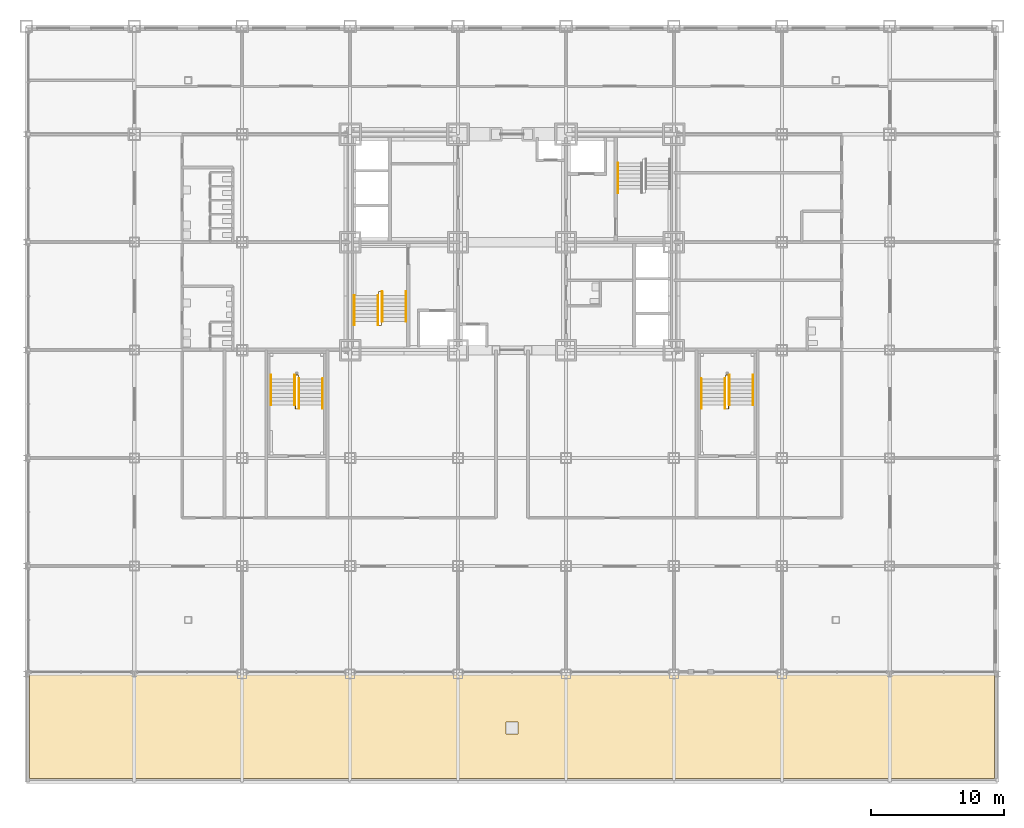
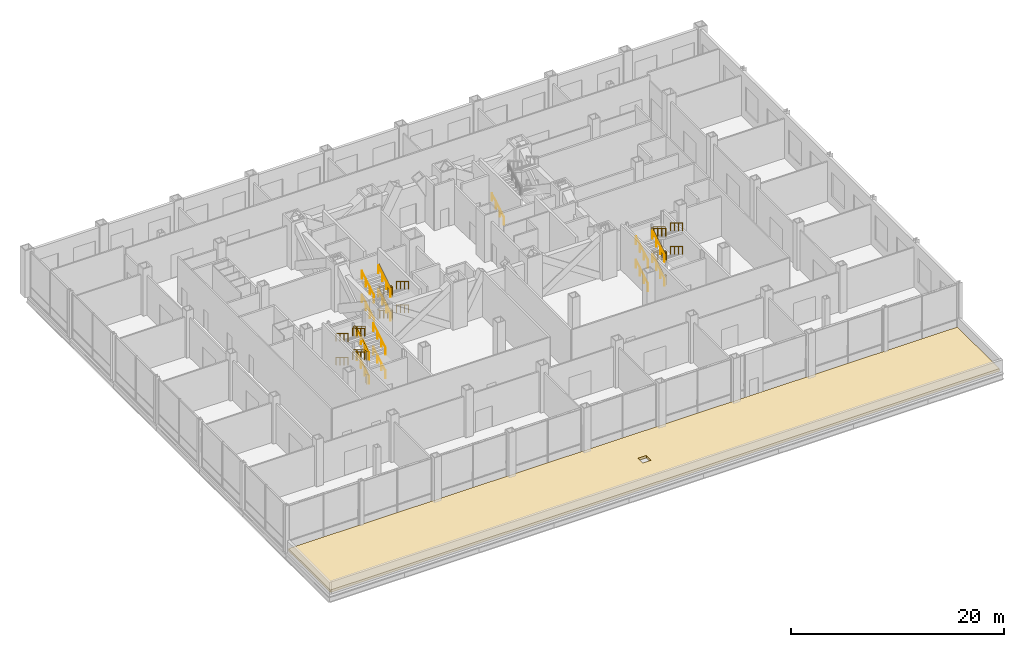
# One storey, part 27 of 29: 28 railings, 1 covering.
"""IFC4 building model written with IfcOpenShell, lengths in metres."""

from ifc_helpers import new_model, si_unit, direction, frame, origin, origin_2d, place, context, subcontext, project, spatial, polyline, circle, outline, extrude, material, layer, layer_set, type_object, element, save


model = new_model("IFC4")

# Units and contexts
model_context = context("Model", 3, precision=1e-05, world=origin(), true_north=direction((0.0, 1.0)))
body_context = subcontext(model_context, "Body", "Model", "MODEL_VIEW")
ifc_project = project(units=[si_unit("LENGTHUNIT", "METRE"), si_unit("AREAUNIT", "SQUARE_METRE"), si_unit("VOLUMEUNIT", "CUBIC_METRE"), si_unit("PLANEANGLEUNIT", "RADIAN"), si_unit("MASSUNIT", "GRAM", prefix="KILO")], contexts=[model_context])

# Site, building, storey
site_placement = place(None, origin())
site = spatial("IfcSite", under=ifc_project, at=site_placement, CompositionType="ELEMENT")
building_placement = place(site_placement, origin())
building = spatial("IfcBuilding", under=site, at=building_placement, Name="Kopane Lantern Tower", CompositionType="ELEMENT")
storey_placement = place(building_placement, frame((0.0, 0.0, 11.39990234375)))
storey = spatial("IfcBuildingStorey", under=building, at=storey_placement, Name="L02", CompositionType="ELEMENT", Elevation=11.39990234375)

# Covering
ifc_material_1 = material(Name="Bitumen membrane and extruded polystyrene insulation", Category="bitumen")
ifc_layer = layer(ifc_material_1, 0.280029296875)
ifc_layer_set = layer_set([ifc_layer], Name="ROOF FINISH RF1 INVERTED 280")
covering_type = type_object("IfcCoveringType", Name="ROOF FINISH RF1 INVERTED 280", PredefinedType="ROOFING", material=ifc_layer_set)
covering_placement = place(storey_placement, origin())
element("IfcCovering", 1, at=covering_placement, inside=storey, type_object=covering_type, Name="Roof finish L02", PredefinedType="ROOFING", context=body_context, shape_type="SweptSolid", body=[
    extrude(outline(polyline([(64.550048828125, 0.0), (-7.85009765625, 0.0), (-7.85009765625, -7.85009765625), (64.550048828125, -7.85009765625), (64.550048828125, 0.0)]), holes=[polyline([(27.89990234375, -4.5), (27.89990234375, -3.60009765625), (28.800048828125, -3.60009765625), (28.800048828125, -4.5), (27.89990234375, -4.5)])]), origin(), (0.0, 0.0, 1.0), 0.280029296875),
])

# Railings
ifc_material_2 = material(Name="Steel", Category="steel")
railing_type_1 = type_object("IfcRailingType", Name="STAIR GUARD 1100", PredefinedType="GUARDRAIL", material=ifc_material_2)
railing_1_placement = place(storey_placement, frame((18.35009765625, 28.409912109375, 0.0)))
element("IfcRailing", 2, at=railing_1_placement, inside=storey, type_object=railing_type_1, Name="ST1 well guard L02", PredefinedType="GUARDRAIL", context=body_context, shape_type="SweptSolid", body=[
    extrude(circle(Radius=0.02392578125, at=origin_2d()), frame((0.0, 0.0, 1.076171875), z_axis=(0.0, 1.0, 0.0), x_axis=(-1.0, 0.0, 0.0)), (0.0, 0.0, 1.0), 0.280029296875),
    extrude(circle(Radius=0.02392578125, at=origin_2d()), frame((0.0, 0.280029296875, 1.076171875), z_axis=(1.0, 0.0, 0.0), x_axis=(0.0, 1.0, 0.0)), (0.0, 0.0, 1.0), 0.199951171875),
    extrude(circle(Radius=0.02392578125, at=origin_2d()), frame((0.199951171875, 0.280029296875, 1.076171875), z_axis=(0.0, -0.856461642802, 0.516210668632), x_axis=(1.0, 0.0, 0.0)), (0.0, 0.0, 1.0), 2.615478515625),
    extrude(circle(Radius=0.02392578125, at=origin_2d()), frame((0.199951171875, -1.9599609375, 2.42626953125), z_axis=(0.0, -1.0, 0.0), x_axis=(1.0, 0.0, 0.0)), (0.0, 0.0, 1.0), 0.280029296875),
    extrude(circle(Radius=0.02392578125, at=origin_2d()), frame((0.199951171875, -2.239990234375, 2.42626953125), z_axis=(-1.0, 0.0, 0.0), x_axis=(0.0, -1.0, 0.0)), (0.0, 0.0, 1.0), 0.199951171875),
    extrude(circle(Radius=0.02392578125, at=origin_2d()), frame((0.0, -2.239990234375, 2.42626953125), z_axis=(0.0, 0.856461642802, 0.516210668632), x_axis=(-1.0, 0.0, 0.0)), (0.0, 0.0, 1.0), 2.615478515625),
    extrude(circle(Radius=0.02392578125, at=origin_2d()), frame((0.0, 0.0, 3.7763671875), z_axis=(0.0, 1.0, 0.0), x_axis=(-1.0, 0.0, 0.0)), (0.0, 0.0, 1.0), 0.280029296875),
    extrude(circle(Radius=0.02392578125, at=origin_2d()), frame((0.0, 0.280029296875, 3.7763671875), z_axis=(1.0, 0.0, 0.0), x_axis=(0.0, 1.0, 0.0)), (0.0, 0.0, 1.0), 0.199951171875),
    extrude(circle(Radius=0.02392578125, at=origin_2d()), frame((0.199951171875, 0.280029296875, 3.7763671875), z_axis=(0.0, -0.856502912269, 0.516142190947), x_axis=(1.0, 0.0, 0.0)), (0.0, 0.0, 1.0), 2.615234375),
    extrude(circle(Radius=0.02392578125, at=origin_2d()), frame((0.199951171875, -1.9599609375, 5.1259765625), z_axis=(0.0, -1.0, 0.0), x_axis=(1.0, 0.0, 0.0)), (0.0, 0.0, 1.0), 0.280029296875),
    extrude(circle(Radius=0.02392578125, at=origin_2d()), frame((0.199951171875, -2.239990234375, 5.1259765625), z_axis=(-1.0, 0.0, 0.0), x_axis=(0.0, -1.0, 0.0)), (0.0, 0.0, 1.0), 0.199951171875),
    extrude(circle(Radius=0.02392578125, at=origin_2d()), frame((0.0, -2.239990234375, 5.1259765625), z_axis=(0.0, 0.856461642802, 0.516210668632), x_axis=(-1.0, 0.0, 0.0)), (0.0, 0.0, 1.0), 2.615478515625),
    extrude(circle(Radius=0.02099609375, at=origin_2d()), origin(), (0.0, 0.0, 1.0), 1.052001953125),
    extrude(circle(Radius=0.02099609375, at=origin_2d()), frame((0.0, 0.280029296875, 0.0)), (0.0, 0.0, 1.0), 1.052001953125),
    extrude(circle(Radius=0.02099609375, at=origin_2d()), frame((0.199951171875, 0.280029296875, 0.0)), (0.0, 0.0, 1.0), 1.052001953125),
    extrude(circle(Radius=0.02099609375, at=origin_2d()), frame((0.199951171875, -0.466552734375, 0.449951171875)), (0.0, 0.0, 1.0), 1.052001953125),
    extrude(circle(Radius=0.02099609375, at=origin_2d()), frame((0.199951171875, -1.21337890625, 0.900146484375)), (0.0, 0.0, 1.0), 1.052001953125),
    extrude(circle(Radius=0.02099609375, at=origin_2d()), frame((0.199951171875, -1.9599609375, 1.35009765625)), (0.0, 0.0, 1.0), 1.052001953125),
    extrude(circle(Radius=0.02099609375, at=origin_2d()), frame((0.199951171875, -2.239990234375, 1.35009765625)), (0.0, 0.0, 1.0), 1.052001953125),
    extrude(circle(Radius=0.02099609375, at=origin_2d()), frame((0.0, -2.239990234375, 1.35009765625)), (0.0, 0.0, 1.0), 1.052001953125),
    extrude(circle(Radius=0.02099609375, at=origin_2d()), frame((0.0, -1.493408203125, 1.800048828125)), (0.0, 0.0, 1.0), 1.052001953125),
    extrude(circle(Radius=0.02099609375, at=origin_2d()), frame((0.0, -0.74658203125, 2.250244140625)), (0.0, 0.0, 1.0), 1.052001953125),
    extrude(circle(Radius=0.02099609375, at=origin_2d()), frame((0.0, 0.0, 2.7001953125)), (0.0, 0.0, 1.0), 1.052001953125),
    extrude(circle(Radius=0.02099609375, at=origin_2d()), frame((0.0, 0.280029296875, 2.7001953125)), (0.0, 0.0, 1.0), 1.052001953125),
    extrude(circle(Radius=0.02099609375, at=origin_2d()), frame((0.199951171875, 0.280029296875, 2.7001953125)), (0.0, 0.0, 1.0), 1.052001953125),
    extrude(circle(Radius=0.02099609375, at=origin_2d()), frame((0.199951171875, -0.466552734375, 3.150146484375)), (0.0, 0.0, 1.0), 1.052001953125),
    extrude(circle(Radius=0.02099609375, at=origin_2d()), frame((0.199951171875, -1.21337890625, 3.60009765625)), (0.0, 0.0, 1.0), 1.052001953125),
    extrude(circle(Radius=0.02099609375, at=origin_2d()), frame((0.199951171875, -1.9599609375, 4.050048828125)), (0.0, 0.0, 1.0), 1.052001953125),
    extrude(circle(Radius=0.02099609375, at=origin_2d()), frame((0.199951171875, -2.239990234375, 4.050048828125)), (0.0, 0.0, 1.0), 1.052001953125),
    extrude(circle(Radius=0.02099609375, at=origin_2d()), frame((0.0, -2.239990234375, 4.050048828125)), (0.0, 0.0, 1.0), 1.052001953125),
    extrude(circle(Radius=0.02099609375, at=origin_2d()), frame((0.0, -1.493408203125, 4.5)), (0.0, 0.0, 1.0), 1.052001953125),
    extrude(circle(Radius=0.02099609375, at=origin_2d()), frame((0.0, -0.74658203125, 4.9501953125)), (0.0, 0.0, 1.0), 1.052001953125),
    extrude(circle(Radius=0.02099609375, at=origin_2d()), frame((0.0, 0.0, 5.400146484375)), (0.0, 0.0, 1.0), 1.052001953125),
])
railing_2_placement = place(storey_placement, frame((12.10009765625, 20.18994140625, 0.0)))
element("IfcRailing", 3, at=railing_2_placement, inside=storey, type_object=railing_type_1, Name="ST3 well guard L02", PredefinedType="GUARDRAIL", context=body_context, shape_type="SweptSolid", body=[
    extrude(circle(Radius=0.02392578125, at=origin_2d()), frame((0.0, 0.0, 1.076171875), z_axis=(0.0, -1.0, 0.0), x_axis=(1.0, 0.0, 0.0)), (0.0, 0.0, 1.0), 0.280029296875),
    extrude(circle(Radius=0.02392578125, at=origin_2d()), frame((0.0, -0.280029296875, 1.076171875), z_axis=(1.0, 0.0, 0.0), x_axis=(0.0, 1.0, 0.0)), (0.0, 0.0, 1.0), 0.199951171875),
    extrude(circle(Radius=0.02392578125, at=origin_2d()), frame((0.199951171875, -0.280029296875, 1.076171875), z_axis=(0.0, 0.856461642802, 0.516210668632), x_axis=(-1.0, 0.0, 0.0)), (0.0, 0.0, 1.0), 2.615478515625),
    extrude(circle(Radius=0.02392578125, at=origin_2d()), frame((0.199951171875, 1.9599609375, 2.42626953125), z_axis=(0.0, 1.0, 0.0), x_axis=(-1.0, 0.0, 0.0)), (0.0, 0.0, 1.0), 0.280029296875),
    extrude(circle(Radius=0.02392578125, at=origin_2d()), frame((0.199951171875, 2.239990234375, 2.42626953125), z_axis=(-1.0, 0.0, 0.0), x_axis=(0.0, -1.0, 0.0)), (0.0, 0.0, 1.0), 0.199951171875),
    extrude(circle(Radius=0.02392578125, at=origin_2d()), frame((0.0, 2.239990234375, 2.42626953125), z_axis=(0.0, -0.856461642802, 0.516210668632), x_axis=(1.0, 0.0, 0.0)), (0.0, 0.0, 1.0), 2.615478515625),
    extrude(circle(Radius=0.02392578125, at=origin_2d()), frame((0.0, 0.0, 3.7763671875), z_axis=(0.0, -1.0, 0.0), x_axis=(1.0, 0.0, 0.0)), (0.0, 0.0, 1.0), 0.280029296875),
    extrude(circle(Radius=0.02392578125, at=origin_2d()), frame((0.0, -0.280029296875, 3.7763671875), z_axis=(1.0, 0.0, 0.0), x_axis=(0.0, 1.0, 0.0)), (0.0, 0.0, 1.0), 0.199951171875),
    extrude(circle(Radius=0.02392578125, at=origin_2d()), frame((0.199951171875, -0.280029296875, 3.7763671875), z_axis=(0.0, 0.856502912269, 0.516142190947), x_axis=(-1.0, 0.0, 0.0)), (0.0, 0.0, 1.0), 2.615234375),
    extrude(circle(Radius=0.02392578125, at=origin_2d()), frame((0.199951171875, 1.9599609375, 5.1259765625), z_axis=(0.0, 1.0, 0.0), x_axis=(-1.0, 0.0, 0.0)), (0.0, 0.0, 1.0), 0.280029296875),
    extrude(circle(Radius=0.02392578125, at=origin_2d()), frame((0.199951171875, 2.239990234375, 5.1259765625), z_axis=(-1.0, 0.0, 0.0), x_axis=(0.0, -1.0, 0.0)), (0.0, 0.0, 1.0), 0.199951171875),
    extrude(circle(Radius=0.02392578125, at=origin_2d()), frame((0.0, 2.239990234375, 5.1259765625), z_axis=(0.0, -0.856461642802, 0.516210668632), x_axis=(1.0, 0.0, 0.0)), (0.0, 0.0, 1.0), 2.615478515625),
    extrude(circle(Radius=0.02099609375, at=origin_2d()), origin(), (0.0, 0.0, 1.0), 1.052001953125),
    extrude(circle(Radius=0.02099609375, at=origin_2d()), frame((0.0, -0.280029296875, 0.0)), (0.0, 0.0, 1.0), 1.052001953125),
    extrude(circle(Radius=0.02099609375, at=origin_2d()), frame((0.199951171875, -0.280029296875, 0.0)), (0.0, 0.0, 1.0), 1.052001953125),
    extrude(circle(Radius=0.02099609375, at=origin_2d()), frame((0.199951171875, 0.466552734375, 0.449951171875)), (0.0, 0.0, 1.0), 1.052001953125),
    extrude(circle(Radius=0.02099609375, at=origin_2d()), frame((0.199951171875, 1.21337890625, 0.900146484375)), (0.0, 0.0, 1.0), 1.052001953125),
    extrude(circle(Radius=0.02099609375, at=origin_2d()), frame((0.199951171875, 1.9599609375, 1.35009765625)), (0.0, 0.0, 1.0), 1.052001953125),
    extrude(circle(Radius=0.02099609375, at=origin_2d()), frame((0.199951171875, 2.239990234375, 1.35009765625)), (0.0, 0.0, 1.0), 1.052001953125),
    extrude(circle(Radius=0.02099609375, at=origin_2d()), frame((0.0, 2.239990234375, 1.35009765625)), (0.0, 0.0, 1.0), 1.052001953125),
    extrude(circle(Radius=0.02099609375, at=origin_2d()), frame((0.0, 1.493408203125, 1.800048828125)), (0.0, 0.0, 1.0), 1.052001953125),
    extrude(circle(Radius=0.02099609375, at=origin_2d()), frame((0.0, 0.74658203125, 2.250244140625)), (0.0, 0.0, 1.0), 1.052001953125),
    extrude(circle(Radius=0.02099609375, at=origin_2d()), frame((0.0, 0.0, 2.7001953125)), (0.0, 0.0, 1.0), 1.052001953125),
    extrude(circle(Radius=0.02099609375, at=origin_2d()), frame((0.0, -0.280029296875, 2.7001953125)), (0.0, 0.0, 1.0), 1.052001953125),
    extrude(circle(Radius=0.02099609375, at=origin_2d()), frame((0.199951171875, -0.280029296875, 2.7001953125)), (0.0, 0.0, 1.0), 1.052001953125),
    extrude(circle(Radius=0.02099609375, at=origin_2d()), frame((0.199951171875, 0.466552734375, 3.150146484375)), (0.0, 0.0, 1.0), 1.052001953125),
    extrude(circle(Radius=0.02099609375, at=origin_2d()), frame((0.199951171875, 1.21337890625, 3.60009765625)), (0.0, 0.0, 1.0), 1.052001953125),
    extrude(circle(Radius=0.02099609375, at=origin_2d()), frame((0.199951171875, 1.9599609375, 4.050048828125)), (0.0, 0.0, 1.0), 1.052001953125),
    extrude(circle(Radius=0.02099609375, at=origin_2d()), frame((0.199951171875, 2.239990234375, 4.050048828125)), (0.0, 0.0, 1.0), 1.052001953125),
    extrude(circle(Radius=0.02099609375, at=origin_2d()), frame((0.0, 2.239990234375, 4.050048828125)), (0.0, 0.0, 1.0), 1.052001953125),
    extrude(circle(Radius=0.02099609375, at=origin_2d()), frame((0.0, 1.493408203125, 4.5)), (0.0, 0.0, 1.0), 1.052001953125),
    extrude(circle(Radius=0.02099609375, at=origin_2d()), frame((0.0, 0.74658203125, 4.9501953125)), (0.0, 0.0, 1.0), 1.052001953125),
    extrude(circle(Radius=0.02099609375, at=origin_2d()), frame((0.0, 0.0, 5.400146484375)), (0.0, 0.0, 1.0), 1.052001953125),
])
railing_3_placement = place(storey_placement, frame((44.60009765625, 20.18994140625, 0.0)))
element("IfcRailing", 4, at=railing_3_placement, inside=storey, type_object=railing_type_1, Name="ST4 well guard L02", PredefinedType="GUARDRAIL", context=body_context, shape_type="SweptSolid", body=[
    extrude(circle(Radius=0.02392578125, at=origin_2d()), frame((0.0, 0.0, 1.076171875), z_axis=(0.0, -1.0, 0.0), x_axis=(1.0, 0.0, 0.0)), (0.0, 0.0, 1.0), 0.280029296875),
    extrude(circle(Radius=0.02392578125, at=origin_2d()), frame((0.0, -0.280029296875, 1.076171875), z_axis=(-1.0, 0.0, 0.0), x_axis=(0.0, -1.0, 0.0)), (0.0, 0.0, 1.0), 0.2001953125),
    extrude(circle(Radius=0.02392578125, at=origin_2d()), frame((-0.2001953125, -0.280029296875, 1.076171875), z_axis=(0.0, 0.856461642802, 0.516210668632), x_axis=(-1.0, 0.0, 0.0)), (0.0, 0.0, 1.0), 2.615478515625),
    extrude(circle(Radius=0.02392578125, at=origin_2d()), frame((-0.2001953125, 1.9599609375, 2.42626953125), z_axis=(0.0, 1.0, 0.0), x_axis=(-1.0, 0.0, 0.0)), (0.0, 0.0, 1.0), 0.280029296875),
    extrude(circle(Radius=0.02392578125, at=origin_2d()), frame((-0.2001953125, 2.239990234375, 2.42626953125), z_axis=(1.0, 0.0, 0.0), x_axis=(0.0, 1.0, 0.0)), (0.0, 0.0, 1.0), 0.2001953125),
    extrude(circle(Radius=0.02392578125, at=origin_2d()), frame((0.0, 2.239990234375, 2.42626953125), z_axis=(0.0, -0.856461642802, 0.516210668632), x_axis=(1.0, 0.0, 0.0)), (0.0, 0.0, 1.0), 2.615478515625),
    extrude(circle(Radius=0.02392578125, at=origin_2d()), frame((0.0, 0.0, 3.7763671875), z_axis=(0.0, -1.0, 0.0), x_axis=(1.0, 0.0, 0.0)), (0.0, 0.0, 1.0), 0.280029296875),
    extrude(circle(Radius=0.02392578125, at=origin_2d()), frame((0.0, -0.280029296875, 3.7763671875), z_axis=(-1.0, 0.0, 0.0), x_axis=(0.0, -1.0, 0.0)), (0.0, 0.0, 1.0), 0.2001953125),
    extrude(circle(Radius=0.02392578125, at=origin_2d()), frame((-0.2001953125, -0.280029296875, 3.7763671875), z_axis=(0.0, 0.856502912269, 0.516142190947), x_axis=(-1.0, 0.0, 0.0)), (0.0, 0.0, 1.0), 2.615234375),
    extrude(circle(Radius=0.02392578125, at=origin_2d()), frame((-0.2001953125, 1.9599609375, 5.1259765625), z_axis=(0.0, 1.0, 0.0), x_axis=(-1.0, 0.0, 0.0)), (0.0, 0.0, 1.0), 0.280029296875),
    extrude(circle(Radius=0.02392578125, at=origin_2d()), frame((-0.2001953125, 2.239990234375, 5.1259765625), z_axis=(1.0, 0.0, 0.0), x_axis=(0.0, 1.0, 0.0)), (0.0, 0.0, 1.0), 0.2001953125),
    extrude(circle(Radius=0.02392578125, at=origin_2d()), frame((0.0, 2.239990234375, 5.1259765625), z_axis=(0.0, -0.856461642802, 0.516210668632), x_axis=(1.0, 0.0, 0.0)), (0.0, 0.0, 1.0), 2.615478515625),
    extrude(circle(Radius=0.02099609375, at=origin_2d()), origin(), (0.0, 0.0, 1.0), 1.052001953125),
    extrude(circle(Radius=0.02099609375, at=origin_2d()), frame((0.0, -0.280029296875, 0.0)), (0.0, 0.0, 1.0), 1.052001953125),
    extrude(circle(Radius=0.02099609375, at=origin_2d()), frame((-0.2001953125, -0.280029296875, 0.0)), (0.0, 0.0, 1.0), 1.052001953125),
    extrude(circle(Radius=0.02099609375, at=origin_2d()), frame((-0.2001953125, 0.466552734375, 0.449951171875)), (0.0, 0.0, 1.0), 1.052001953125),
    extrude(circle(Radius=0.02099609375, at=origin_2d()), frame((-0.2001953125, 1.21337890625, 0.900146484375)), (0.0, 0.0, 1.0), 1.052001953125),
    extrude(circle(Radius=0.02099609375, at=origin_2d()), frame((-0.2001953125, 1.9599609375, 1.35009765625)), (0.0, 0.0, 1.0), 1.052001953125),
    extrude(circle(Radius=0.02099609375, at=origin_2d()), frame((-0.2001953125, 2.239990234375, 1.35009765625)), (0.0, 0.0, 1.0), 1.052001953125),
    extrude(circle(Radius=0.02099609375, at=origin_2d()), frame((0.0, 2.239990234375, 1.35009765625)), (0.0, 0.0, 1.0), 1.052001953125),
    extrude(circle(Radius=0.02099609375, at=origin_2d()), frame((0.0, 1.493408203125, 1.800048828125)), (0.0, 0.0, 1.0), 1.052001953125),
    extrude(circle(Radius=0.02099609375, at=origin_2d()), frame((0.0, 0.74658203125, 2.250244140625)), (0.0, 0.0, 1.0), 1.052001953125),
    extrude(circle(Radius=0.02099609375, at=origin_2d()), frame((0.0, 0.0, 2.7001953125)), (0.0, 0.0, 1.0), 1.052001953125),
    extrude(circle(Radius=0.02099609375, at=origin_2d()), frame((0.0, -0.280029296875, 2.7001953125)), (0.0, 0.0, 1.0), 1.052001953125),
    extrude(circle(Radius=0.02099609375, at=origin_2d()), frame((-0.2001953125, -0.280029296875, 2.7001953125)), (0.0, 0.0, 1.0), 1.052001953125),
    extrude(circle(Radius=0.02099609375, at=origin_2d()), frame((-0.2001953125, 0.466552734375, 3.150146484375)), (0.0, 0.0, 1.0), 1.052001953125),
    extrude(circle(Radius=0.02099609375, at=origin_2d()), frame((-0.2001953125, 1.21337890625, 3.60009765625)), (0.0, 0.0, 1.0), 1.052001953125),
    extrude(circle(Radius=0.02099609375, at=origin_2d()), frame((-0.2001953125, 1.9599609375, 4.050048828125)), (0.0, 0.0, 1.0), 1.052001953125),
    extrude(circle(Radius=0.02099609375, at=origin_2d()), frame((-0.2001953125, 2.239990234375, 4.050048828125)), (0.0, 0.0, 1.0), 1.052001953125),
    extrude(circle(Radius=0.02099609375, at=origin_2d()), frame((0.0, 2.239990234375, 4.050048828125)), (0.0, 0.0, 1.0), 1.052001953125),
    extrude(circle(Radius=0.02099609375, at=origin_2d()), frame((0.0, 1.493408203125, 4.5)), (0.0, 0.0, 1.0), 1.052001953125),
    extrude(circle(Radius=0.02099609375, at=origin_2d()), frame((0.0, 0.74658203125, 4.9501953125)), (0.0, 0.0, 1.0), 1.052001953125),
    extrude(circle(Radius=0.02099609375, at=origin_2d()), frame((0.0, 0.0, 5.400146484375)), (0.0, 0.0, 1.0), 1.052001953125),
])
ifc_material_3 = material(Name="Steel", Category="steel")
railing_type_2 = type_object("IfcRailingType", Name="STAIR HANDRAIL 900", PredefinedType="HANDRAIL", material=ifc_material_3)
for number, where, name in (
    (5, (20.389892578125, 28.68994140625, 0.0), "ST1 handrail L02 flight 1"),
    (6, (18.610107421875, 28.68994140625, 0.0), "ST1 handrail L02 flight 1"),
):
    element("IfcRailing", number, at=place(storey_placement, frame(where)), inside=storey, type_object=railing_type_2, Name=name, PredefinedType="HANDRAIL", context=body_context, shape_type="SweptSolid", body=[
        extrude(circle(Radius=0.02392578125, at=origin_2d()), frame((0.0, 0.0, 0.8759765625), z_axis=(0.0, -0.856461642802, 0.516210668632), x_axis=(1.0, 0.0, 0.0)), (0.0, 0.0, 1.0), 2.615478515625),
        extrude(circle(Radius=0.02099609375, at=origin_2d()), origin(), (0.0, 0.0, 1.0), 0.851806640625),
        extrude(circle(Radius=0.02099609375, at=origin_2d()), frame((0.0, -0.74658203125, 0.449951171875)), (0.0, 0.0, 1.0), 0.851806640625),
        extrude(circle(Radius=0.02099609375, at=origin_2d()), frame((0.0, -1.493408203125, 0.900146484375)), (0.0, 0.0, 1.0), 0.851806640625),
        extrude(circle(Radius=0.02099609375, at=origin_2d()), frame((0.0, -2.239990234375, 1.35009765625)), (0.0, 0.0, 1.0), 0.851806640625),
    ])
for number, where, name in (
    (7, (16.510009765625, 26.169921875, 1.35009765625), "ST1 handrail L02 flight 2"),
    (8, (18.2900390625, 26.169921875, 1.35009765625), "ST1 handrail L02 flight 2"),
):
    element("IfcRailing", number, at=place(storey_placement, frame(where)), inside=storey, type_object=railing_type_2, Name=name, PredefinedType="HANDRAIL", context=body_context, shape_type="SweptSolid", body=[
        extrude(circle(Radius=0.02392578125, at=origin_2d()), frame((0.0, 0.0, 0.8759765625), z_axis=(0.0, 0.856461642802, 0.516210668632), x_axis=(-1.0, 0.0, 0.0)), (0.0, 0.0, 1.0), 2.615478515625),
        extrude(circle(Radius=0.02099609375, at=origin_2d()), origin(), (0.0, 0.0, 1.0), 0.851806640625),
        extrude(circle(Radius=0.02099609375, at=origin_2d()), frame((0.0, 0.74658203125, 0.449951171875)), (0.0, 0.0, 1.0), 0.851806640625),
        extrude(circle(Radius=0.02099609375, at=origin_2d()), frame((0.0, 1.493408203125, 0.900146484375)), (0.0, 0.0, 1.0), 0.851806640625),
        extrude(circle(Radius=0.02099609375, at=origin_2d()), frame((0.0, 2.239990234375, 1.35009765625)), (0.0, 0.0, 1.0), 0.851806640625),
    ])
for number, where, name in (
    (9, (20.389892578125, 28.68994140625, 2.7001953125), "ST1 handrail L02 flight 3"),
    (10, (18.610107421875, 28.68994140625, 2.7001953125), "ST1 handrail L02 flight 3"),
):
    element("IfcRailing", number, at=place(storey_placement, frame(where)), inside=storey, type_object=railing_type_2, Name=name, PredefinedType="HANDRAIL", context=body_context, shape_type="SweptSolid", body=[
        extrude(circle(Radius=0.02392578125, at=origin_2d()), frame((0.0, 0.0, 0.8759765625), z_axis=(0.0, -0.856502912269, 0.516142190947), x_axis=(1.0, 0.0, 0.0)), (0.0, 0.0, 1.0), 2.615234375),
        extrude(circle(Radius=0.02099609375, at=origin_2d()), origin(), (0.0, 0.0, 1.0), 0.851806640625),
        extrude(circle(Radius=0.02099609375, at=origin_2d()), frame((0.0, -0.74658203125, 0.449951171875)), (0.0, 0.0, 1.0), 0.851806640625),
        extrude(circle(Radius=0.02099609375, at=origin_2d()), frame((0.0, -1.493408203125, 0.89990234375)), (0.0, 0.0, 1.0), 0.851806640625),
        extrude(circle(Radius=0.02099609375, at=origin_2d()), frame((0.0, -2.239990234375, 1.349853515625)), (0.0, 0.0, 1.0), 0.851806640625),
    ])
for number, where, name in (
    (11, (16.510009765625, 26.169921875, 4.050048828125), "ST1 handrail L02 flight 4"),
    (12, (18.2900390625, 26.169921875, 4.050048828125), "ST1 handrail L02 flight 4"),
    (13, (36.31005859375, 36.110107421875, 0.0), "ST2 handrail L02 flight 1"),
    (14, (14.139892578125, 19.909912109375, 0.0), "ST3 handrail L02 flight 1"),
    (15, (12.360107421875, 19.909912109375, 0.0), "ST3 handrail L02 flight 1"),
):
    element("IfcRailing", number, at=place(storey_placement, frame(where)), inside=storey, type_object=railing_type_2, Name=name, PredefinedType="HANDRAIL", context=body_context, shape_type="SweptSolid", body=[
        extrude(circle(Radius=0.02392578125, at=origin_2d()), frame((0.0, 0.0, 0.8759765625), z_axis=(0.0, 0.856461642802, 0.516210668632), x_axis=(-1.0, 0.0, 0.0)), (0.0, 0.0, 1.0), 2.615478515625),
        extrude(circle(Radius=0.02099609375, at=origin_2d()), origin(), (0.0, 0.0, 1.0), 0.851806640625),
        extrude(circle(Radius=0.02099609375, at=origin_2d()), frame((0.0, 0.74658203125, 0.449951171875)), (0.0, 0.0, 1.0), 0.851806640625),
        extrude(circle(Radius=0.02099609375, at=origin_2d()), frame((0.0, 1.493408203125, 0.900146484375)), (0.0, 0.0, 1.0), 0.851806640625),
        extrude(circle(Radius=0.02099609375, at=origin_2d()), frame((0.0, 2.239990234375, 1.35009765625)), (0.0, 0.0, 1.0), 0.851806640625),
    ])
for number, where, name in (
    (16, (10.260009765625, 22.429931640625, 1.35009765625), "ST3 handrail L02 flight 2"),
    (17, (12.0400390625, 22.429931640625, 1.35009765625), "ST3 handrail L02 flight 2"),
):
    element("IfcRailing", number, at=place(storey_placement, frame(where)), inside=storey, type_object=railing_type_2, Name=name, PredefinedType="HANDRAIL", context=body_context, shape_type="SweptSolid", body=[
        extrude(circle(Radius=0.02392578125, at=origin_2d()), frame((0.0, 0.0, 0.8759765625), z_axis=(0.0, -0.856461642802, 0.516210668632), x_axis=(1.0, 0.0, 0.0)), (0.0, 0.0, 1.0), 2.615478515625),
        extrude(circle(Radius=0.02099609375, at=origin_2d()), origin(), (0.0, 0.0, 1.0), 0.851806640625),
        extrude(circle(Radius=0.02099609375, at=origin_2d()), frame((0.0, -0.74658203125, 0.449951171875)), (0.0, 0.0, 1.0), 0.851806640625),
        extrude(circle(Radius=0.02099609375, at=origin_2d()), frame((0.0, -1.493408203125, 0.900146484375)), (0.0, 0.0, 1.0), 0.851806640625),
        extrude(circle(Radius=0.02099609375, at=origin_2d()), frame((0.0, -2.239990234375, 1.35009765625)), (0.0, 0.0, 1.0), 0.851806640625),
    ])
for number, where, name in (
    (18, (14.139892578125, 19.909912109375, 2.7001953125), "ST3 handrail L02 flight 3"),
    (19, (12.360107421875, 19.909912109375, 2.7001953125), "ST3 handrail L02 flight 3"),
):
    element("IfcRailing", number, at=place(storey_placement, frame(where)), inside=storey, type_object=railing_type_2, Name=name, PredefinedType="HANDRAIL", context=body_context, shape_type="SweptSolid", body=[
        extrude(circle(Radius=0.02392578125, at=origin_2d()), frame((0.0, 0.0, 0.8759765625), z_axis=(0.0, 0.856502912269, 0.516142190947), x_axis=(-1.0, 0.0, 0.0)), (0.0, 0.0, 1.0), 2.615234375),
        extrude(circle(Radius=0.02099609375, at=origin_2d()), origin(), (0.0, 0.0, 1.0), 0.851806640625),
        extrude(circle(Radius=0.02099609375, at=origin_2d()), frame((0.0, 0.74658203125, 0.449951171875)), (0.0, 0.0, 1.0), 0.851806640625),
        extrude(circle(Radius=0.02099609375, at=origin_2d()), frame((0.0, 1.493408203125, 0.89990234375)), (0.0, 0.0, 1.0), 0.851806640625),
        extrude(circle(Radius=0.02099609375, at=origin_2d()), frame((0.0, 2.239990234375, 1.349853515625)), (0.0, 0.0, 1.0), 0.851806640625),
    ])
for number, where, name in (
    (20, (10.260009765625, 22.429931640625, 4.050048828125), "ST3 handrail L02 flight 4"),
    (21, (12.0400390625, 22.429931640625, 4.050048828125), "ST3 handrail L02 flight 4"),
):
    element("IfcRailing", number, at=place(storey_placement, frame(where)), inside=storey, type_object=railing_type_2, Name=name, PredefinedType="HANDRAIL", context=body_context, shape_type="SweptSolid", body=[
        extrude(circle(Radius=0.02392578125, at=origin_2d()), frame((0.0, 0.0, 0.8759765625), z_axis=(0.0, -0.856461642802, 0.516210668632), x_axis=(1.0, 0.0, 0.0)), (0.0, 0.0, 1.0), 2.615478515625),
        extrude(circle(Radius=0.02099609375, at=origin_2d()), origin(), (0.0, 0.0, 1.0), 0.851806640625),
        extrude(circle(Radius=0.02099609375, at=origin_2d()), frame((0.0, -0.74658203125, 0.449951171875)), (0.0, 0.0, 1.0), 0.851806640625),
        extrude(circle(Radius=0.02099609375, at=origin_2d()), frame((0.0, -1.493408203125, 0.900146484375)), (0.0, 0.0, 1.0), 0.851806640625),
        extrude(circle(Radius=0.02099609375, at=origin_2d()), frame((0.0, -2.239990234375, 1.35009765625)), (0.0, 0.0, 1.0), 0.851806640625),
    ])
for number, where, name in (
    (22, (42.56005859375, 19.909912109375, 0.0), "ST4 handrail L02 flight 1"),
    (23, (44.340087890625, 19.909912109375, 0.0), "ST4 handrail L02 flight 1"),
):
    element("IfcRailing", number, at=place(storey_placement, frame(where)), inside=storey, type_object=railing_type_2, Name=name, PredefinedType="HANDRAIL", context=body_context, shape_type="SweptSolid", body=[
        extrude(circle(Radius=0.02392578125, at=origin_2d()), frame((0.0, 0.0, 0.8759765625), z_axis=(0.0, 0.856461642802, 0.516210668632), x_axis=(-1.0, 0.0, 0.0)), (0.0, 0.0, 1.0), 2.615478515625),
        extrude(circle(Radius=0.02099609375, at=origin_2d()), origin(), (0.0, 0.0, 1.0), 0.851806640625),
        extrude(circle(Radius=0.02099609375, at=origin_2d()), frame((0.0, 0.74658203125, 0.449951171875)), (0.0, 0.0, 1.0), 0.851806640625),
        extrude(circle(Radius=0.02099609375, at=origin_2d()), frame((0.0, 1.493408203125, 0.900146484375)), (0.0, 0.0, 1.0), 0.851806640625),
        extrude(circle(Radius=0.02099609375, at=origin_2d()), frame((0.0, 2.239990234375, 1.35009765625)), (0.0, 0.0, 1.0), 0.851806640625),
    ])
for number, where, name in (
    (24, (46.43994140625, 22.429931640625, 1.35009765625), "ST4 handrail L02 flight 2"),
    (25, (44.659912109375, 22.429931640625, 1.35009765625), "ST4 handrail L02 flight 2"),
):
    element("IfcRailing", number, at=place(storey_placement, frame(where)), inside=storey, type_object=railing_type_2, Name=name, PredefinedType="HANDRAIL", context=body_context, shape_type="SweptSolid", body=[
        extrude(circle(Radius=0.02392578125, at=origin_2d()), frame((0.0, 0.0, 0.8759765625), z_axis=(0.0, -0.856461642802, 0.516210668632), x_axis=(1.0, 0.0, 0.0)), (0.0, 0.0, 1.0), 2.615478515625),
        extrude(circle(Radius=0.02099609375, at=origin_2d()), origin(), (0.0, 0.0, 1.0), 0.851806640625),
        extrude(circle(Radius=0.02099609375, at=origin_2d()), frame((0.0, -0.74658203125, 0.449951171875)), (0.0, 0.0, 1.0), 0.851806640625),
        extrude(circle(Radius=0.02099609375, at=origin_2d()), frame((0.0, -1.493408203125, 0.900146484375)), (0.0, 0.0, 1.0), 0.851806640625),
        extrude(circle(Radius=0.02099609375, at=origin_2d()), frame((0.0, -2.239990234375, 1.35009765625)), (0.0, 0.0, 1.0), 0.851806640625),
    ])
for number, where, name in (
    (26, (42.56005859375, 19.909912109375, 2.7001953125), "ST4 handrail L02 flight 3"),
    (27, (44.340087890625, 19.909912109375, 2.7001953125), "ST4 handrail L02 flight 3"),
):
    element("IfcRailing", number, at=place(storey_placement, frame(where)), inside=storey, type_object=railing_type_2, Name=name, PredefinedType="HANDRAIL", context=body_context, shape_type="SweptSolid", body=[
        extrude(circle(Radius=0.02392578125, at=origin_2d()), frame((0.0, 0.0, 0.8759765625), z_axis=(0.0, 0.856502912269, 0.516142190947), x_axis=(-1.0, 0.0, 0.0)), (0.0, 0.0, 1.0), 2.615234375),
        extrude(circle(Radius=0.02099609375, at=origin_2d()), origin(), (0.0, 0.0, 1.0), 0.851806640625),
        extrude(circle(Radius=0.02099609375, at=origin_2d()), frame((0.0, 0.74658203125, 0.449951171875)), (0.0, 0.0, 1.0), 0.851806640625),
        extrude(circle(Radius=0.02099609375, at=origin_2d()), frame((0.0, 1.493408203125, 0.89990234375)), (0.0, 0.0, 1.0), 0.851806640625),
        extrude(circle(Radius=0.02099609375, at=origin_2d()), frame((0.0, 2.239990234375, 1.349853515625)), (0.0, 0.0, 1.0), 0.851806640625),
    ])
for number, where, name in (
    (28, (46.43994140625, 22.429931640625, 4.050048828125), "ST4 handrail L02 flight 4"),
    (29, (44.659912109375, 22.429931640625, 4.050048828125), "ST4 handrail L02 flight 4"),
):
    element("IfcRailing", number, at=place(storey_placement, frame(where)), inside=storey, type_object=railing_type_2, Name=name, PredefinedType="HANDRAIL", context=body_context, shape_type="SweptSolid", body=[
        extrude(circle(Radius=0.02392578125, at=origin_2d()), frame((0.0, 0.0, 0.8759765625), z_axis=(0.0, -0.856461642802, 0.516210668632), x_axis=(1.0, 0.0, 0.0)), (0.0, 0.0, 1.0), 2.615478515625),
        extrude(circle(Radius=0.02099609375, at=origin_2d()), origin(), (0.0, 0.0, 1.0), 0.851806640625),
        extrude(circle(Radius=0.02099609375, at=origin_2d()), frame((0.0, -0.74658203125, 0.449951171875)), (0.0, 0.0, 1.0), 0.851806640625),
        extrude(circle(Radius=0.02099609375, at=origin_2d()), frame((0.0, -1.493408203125, 0.900146484375)), (0.0, 0.0, 1.0), 0.851806640625),
        extrude(circle(Radius=0.02099609375, at=origin_2d()), frame((0.0, -2.239990234375, 1.35009765625)), (0.0, 0.0, 1.0), 0.851806640625),
    ])

save(model, "model.ifc")
